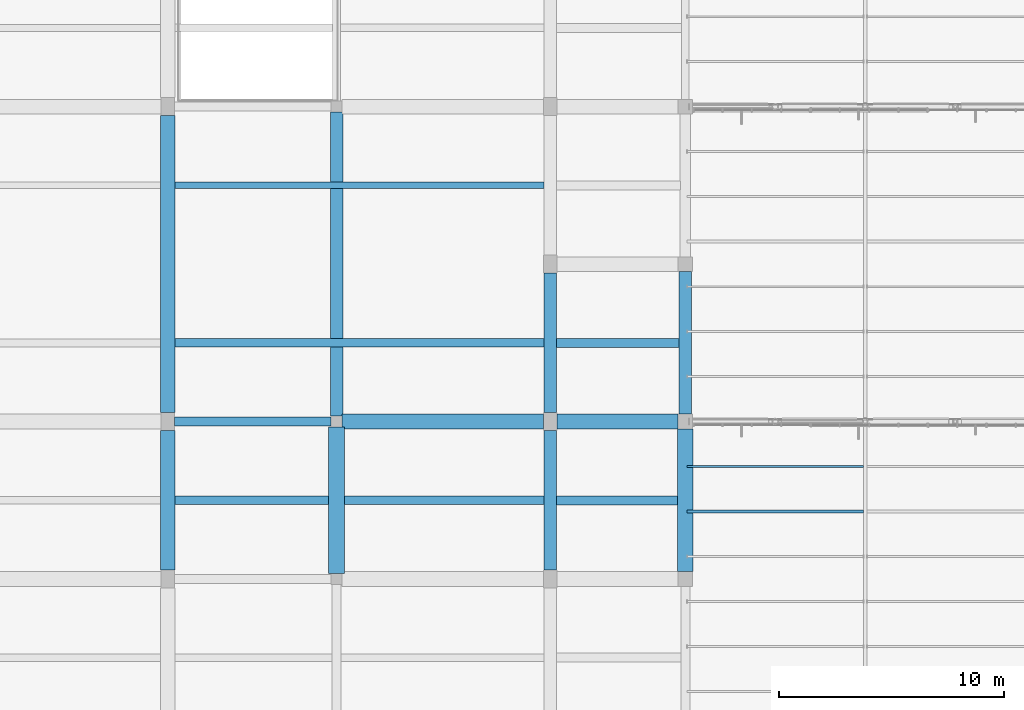
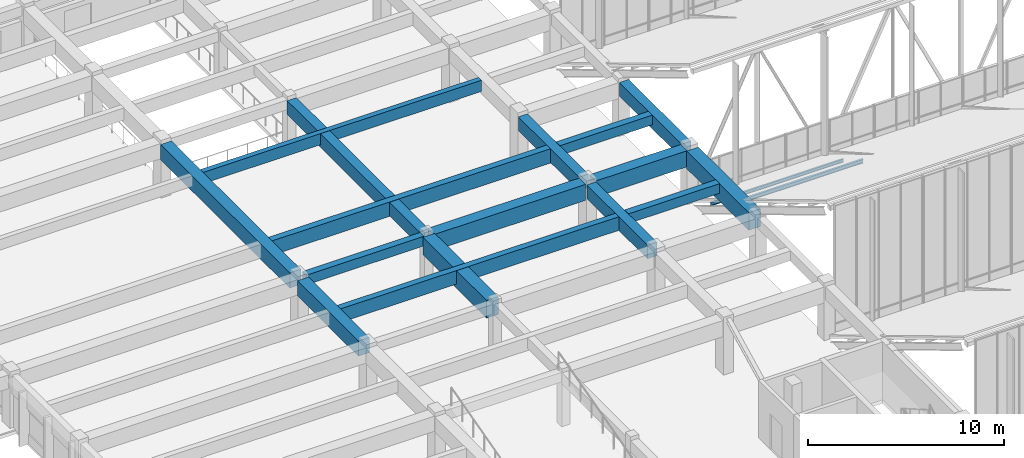
# One storey, part 51 of 155: 16 beams, 2 members.
"""IFC4 building model written with IfcOpenShell, lengths in metres."""

from ifc_helpers import new_model, si_unit, direction, frame, origin, origin_2d, place, context, subcontext, project, spatial, rectangle, i_section, extrude, material, material_profile, profile_set, type_object, element, save


model = new_model("IFC4")

# Units and contexts
model_context = context("Model", 3, precision=1e-05, world=origin(), true_north=direction((0.0, 1.0)))
body_context = subcontext(model_context, "Body", "Model", "MODEL_VIEW")
ifc_project = project(units=[si_unit("LENGTHUNIT", "METRE"), si_unit("AREAUNIT", "SQUARE_METRE"), si_unit("VOLUMEUNIT", "CUBIC_METRE"), si_unit("PLANEANGLEUNIT", "RADIAN"), si_unit("MASSUNIT", "GRAM", prefix="KILO")], contexts=[model_context])

# Site, building, storey
site_placement = place(None, origin())
site = spatial("IfcSite", under=ifc_project, at=site_placement, CompositionType="ELEMENT")
building_placement = place(site_placement, origin())
building = spatial("IfcBuilding", under=site, at=building_placement, Name="Larkveld Mobility Hub", CompositionType="ELEMENT")
storey_placement = place(building_placement, frame((0.0, 0.0, 8.39990234375)))
storey = spatial("IfcBuildingStorey", under=building, at=storey_placement, Name="L02", CompositionType="ELEMENT", Elevation=8.39990234375)

# Beams
ifc_material_1 = material(Name="Precast concrete C50/60", Category="concrete")
ifc_material_profile_1 = material_profile(ifc_material_1, rectangle(XDim=0.300048828125, YDim=0.699951171875, at=origin_2d()), Name="PC DT 300x700")
ifc_profile_set_1 = profile_set([ifc_material_profile_1], Name="Precast concrete C50/60")
beam_type_1 = type_object("IfcBeamType", Name="BM-DT3070", PredefinedType="T_BEAM", material=ifc_profile_set_1)
beam_1_placement = place(storey_placement, frame((129.320068359375, 94.5, 3.02001953125), z_axis=(1.0, 0.0, 0.0), x_axis=(0.0, 1.0, 0.0)))
element("IfcBeam", 1, at=beam_1_placement, inside=storey, type_object=beam_type_1, Name="Precast Double-Tee Stem L02-1101", PredefinedType="T_BEAM", context=body_context, shape_type="SweptSolid", body=[
    extrude(rectangle(XDim=0.300048828125, YDim=0.699951171875, at=origin_2d()), origin(), (0.0, 0.0, 1.0), 16.409912109375),
])
ifc_material_profile_2 = material_profile(ifc_material_1, rectangle(XDim=0.360107421875, YDim=0.85009765625, at=origin_2d()), Name="PC DT 360x850")
ifc_profile_set_2 = profile_set([ifc_material_profile_2], Name="Precast concrete C50/60")
beam_type_2 = type_object("IfcBeamType", Name="BM-DT3685", PredefinedType="T_BEAM", material=ifc_profile_set_2)
beam_2_placement = place(storey_placement, frame((129.320068359375, 80.5, 2.945068359375), z_axis=(1.0, 0.0, 0.0), x_axis=(0.0, 1.0, 0.0)))
element("IfcBeam", 2, at=beam_2_placement, inside=storey, type_object=beam_type_2, Name="Precast Double-Tee Stem L02-1095", PredefinedType="T_BEAM", context=body_context, shape_type="SweptSolid", body=[
    extrude(rectangle(XDim=0.360107421875, YDim=0.85009765625, at=origin_2d()), origin(), (0.0, 0.0, 1.0), 16.409912109375),
])
ifc_material_profile_3 = material_profile(ifc_material_1, rectangle(XDim=0.3798828125, YDim=0.89990234375, at=origin_2d()), Name="PC DT 380x900")
ifc_profile_set_3 = profile_set([ifc_material_profile_3], Name="Precast concrete C50/60")
beam_type_3 = type_object("IfcBeamType", Name="BM-DT3890", PredefinedType="T_BEAM", material=ifc_profile_set_3)
beam_3_placement = place(storey_placement, frame((129.320068359375, 87.5, 2.920166015625), z_axis=(1.0, 0.0, 0.0), x_axis=(0.0, 1.0, 0.0)))
element("IfcBeam", 3, at=beam_3_placement, inside=storey, type_object=beam_type_3, Name="Precast Double-Tee Stem L02-1098", PredefinedType="T_BEAM", context=body_context, shape_type="SweptSolid", body=[
    extrude(rectangle(XDim=0.3798828125, YDim=0.89990234375, at=origin_2d()), origin(), (0.0, 0.0, 1.0), 16.409912109375),
])
ifc_material_profile_4 = material_profile(ifc_material_1, rectangle(XDim=0.64990234375, YDim=0.949951171875, at=origin_2d()), Name="PC ITB 650x950")
ifc_profile_set_4 = profile_set([ifc_material_profile_4], Name="Precast concrete C50/60")
beam_type_4 = type_object("IfcBeamType", Name="BM-ITB6595", PredefinedType="T_BEAM", material=ifc_profile_set_4)
beam_4_placement = place(storey_placement, frame((129.0, 77.39990234375, 2.885009765625), z_axis=(0.0, 1.0, 0.0), x_axis=(-1.0, 0.0, 0.0)))
element("IfcBeam", 4, at=beam_4_placement, inside=storey, type_object=beam_type_4, Name="Primary N-S Girder L02-0648", PredefinedType="T_BEAM", context=body_context, shape_type="SweptSolid", body=[
    extrude(rectangle(XDim=0.64990234375, YDim=0.949951171875, at=origin_2d()), origin(), (0.0, 0.0, 1.0), 6.2001953125),
])
beam_5_placement = place(storey_placement, frame((129.0, 84.39990234375, 2.885009765625), z_axis=(0.0, 1.0, 0.0), x_axis=(-1.0, 0.0, 0.0)))
element("IfcBeam", 5, at=beam_5_placement, inside=storey, type_object=beam_type_4, Name="Primary N-S Girder L02-0649", PredefinedType="T_BEAM", context=body_context, shape_type="SweptSolid", body=[
    extrude(rectangle(XDim=0.64990234375, YDim=0.949951171875, at=origin_2d()), origin(), (0.0, 0.0, 1.0), 13.2001953125),
])
ifc_material_2 = material(Name="Concrete C40/50", Category="concrete")
ifc_material_profile_5 = material_profile(ifc_material_2, rectangle(XDim=0.39990234375, YDim=0.60009765625, at=origin_2d()), Name="RC BM 400x600")
ifc_profile_set_5 = profile_set([ifc_material_profile_5], Name="Concrete C40/50")
beam_type_5 = type_object("IfcBeamType", Name="BM-RC4060", PredefinedType="BEAM", material=ifc_profile_set_5)
beam_6_placement = place(storey_placement, frame((129.300048828125, 84.0, 3.06005859375), z_axis=(1.0, 0.0, 0.0), x_axis=(0.0, 1.0, 0.0)))
element("IfcBeam", 6, at=beam_6_placement, inside=storey, type_object=beam_type_5, Name="Primary E-W Girder L02-0531", PredefinedType="BEAM", context=body_context, shape_type="SweptSolid", body=[
    extrude(rectangle(XDim=0.39990234375, YDim=0.60009765625, at=origin_2d()), origin(), (0.0, 0.0, 1.0), 6.949951171875),
])
beam_7_placement = place(storey_placement, frame((146.27001953125, 80.5, 3.070068359375), z_axis=(1.0, 0.0, 0.0), x_axis=(0.0, 1.0, 0.0)))
element("IfcBeam", 7, at=beam_7_placement, inside=storey, type_object=beam_type_5, Name="Concourse Spine Joist L02-1096", PredefinedType="BEAM", context=body_context, shape_type="SweptSolid", body=[
    extrude(rectangle(XDim=0.39990234375, YDim=0.60009765625, at=origin_2d()), origin(), (0.0, 0.0, 1.0), 5.385009765625),
])
beam_8_placement = place(storey_placement, frame((146.27001953125, 87.5, 3.070068359375), z_axis=(1.0, 0.0, 0.0), x_axis=(0.0, 1.0, 0.0)))
element("IfcBeam", 8, at=beam_8_placement, inside=storey, type_object=beam_type_5, Name="Concourse Spine Joist L02-1099", PredefinedType="BEAM", context=body_context, shape_type="SweptSolid", body=[
    extrude(rectangle(XDim=0.39990234375, YDim=0.60009765625, at=origin_2d()), origin(), (0.0, 0.0, 1.0), 5.4599609375),
])
ifc_material_profile_6 = material_profile(ifc_material_2, rectangle(XDim=0.550048828125, YDim=0.85009765625, at=origin_2d()), Name="RC BM 550x850")
ifc_profile_set_6 = profile_set([ifc_material_profile_6], Name="Concrete C40/50")
beam_type_6 = type_object("IfcBeamType", Name="BM-RC5585", PredefinedType="BEAM", material=ifc_profile_set_6)
beam_9_placement = place(storey_placement, frame((136.5, 84.25, 2.93505859375), z_axis=(0.0, 1.0, 0.0), x_axis=(-1.0, 0.0, 0.0)))
element("IfcBeam", 9, at=beam_9_placement, inside=storey, type_object=beam_type_6, Name="Primary N-S Girder L02-0657", PredefinedType="BEAM", context=body_context, shape_type="SweptSolid", body=[
    extrude(rectangle(XDim=0.550048828125, YDim=0.85009765625, at=origin_2d()), origin(), (0.0, 0.0, 1.0), 13.5),
])
for number, where, z_axis, x_axis, name in (
    (10, (146.0, 77.39990234375, 2.93505859375), (0.0, 1.0, 0.0), (-1.0, 0.0, 0.0), "Primary N-S Girder L02-0666"),
    (11, (146.0, 84.39990234375, 2.93505859375), (0.0, 1.0, 0.0), (-1.0, 0.0, 0.0), "Primary N-S Girder L02-0667"),
):
    element("IfcBeam", number, at=place(storey_placement, frame(where, z_axis=z_axis, x_axis=x_axis)), inside=storey, type_object=beam_type_6, Name=name, PredefinedType="BEAM", context=body_context, shape_type="SweptSolid", body=[
        extrude(rectangle(XDim=0.550048828125, YDim=0.85009765625, at=origin_2d()), origin(), (0.0, 0.0, 1.0), 6.2001953125),
    ])
beam_10_placement = place(storey_placement, frame((152.0, 84.324951171875, 2.93505859375), z_axis=(0.0, 1.0, 0.0), x_axis=(-1.0, 0.0, 0.0)))
element("IfcBeam", 12, at=beam_10_placement, inside=storey, type_object=beam_type_6, Name="Primary N-S Girder L02-0682", PredefinedType="BEAM", context=body_context, shape_type="SweptSolid", body=[
    extrude(rectangle(XDim=0.550048828125, YDim=0.85009765625, at=origin_2d()), origin(), (0.0, 0.0, 1.0), 6.35009765625),
])
ifc_material_profile_7 = material_profile(ifc_material_2, rectangle(XDim=0.64990234375, YDim=1.0, at=origin_2d()), Name="RC BM 650x1000")
ifc_profile_set_7 = profile_set([ifc_material_profile_7], Name="Concrete C40/50")
beam_type_7 = type_object("IfcBeamType", Name="BM-RC65100", PredefinedType="BEAM", material=ifc_profile_set_7)
beam_11_placement = place(storey_placement, frame((136.75, 84.0, 2.860107421875), z_axis=(1.0, 0.0, 0.0), x_axis=(0.0, 1.0, 0.0)))
element("IfcBeam", 13, at=beam_11_placement, inside=storey, type_object=beam_type_7, Name="Primary E-W Girder L02-0532", PredefinedType="BEAM", context=body_context, shape_type="SweptSolid", body=[
    extrude(rectangle(XDim=0.64990234375, YDim=1.0, at=origin_2d()), origin(), (0.0, 0.0, 1.0), 8.949951171875),
])
beam_12_placement = place(storey_placement, frame((146.300048828125, 84.0, 2.860107421875), z_axis=(1.0, 0.0, 0.0), x_axis=(0.0, 1.0, 0.0)))
element("IfcBeam", 14, at=beam_12_placement, inside=storey, type_object=beam_type_7, Name="Primary E-W Girder L02-0533", PredefinedType="BEAM", context=body_context, shape_type="SweptSolid", body=[
    extrude(rectangle(XDim=0.64990234375, YDim=1.0, at=origin_2d()), origin(), (0.0, 0.0, 1.0), 5.375),
])
ifc_material_profile_8 = material_profile(ifc_material_2, rectangle(XDim=0.699951171875, YDim=1.10009765625, at=origin_2d()), Name="RC BM 700x1100")
ifc_profile_set_8 = profile_set([ifc_material_profile_8], Name="Concrete C40/50")
beam_type_8 = type_object("IfcBeamType", Name="BM-RC70110", PredefinedType="BEAM", material=ifc_profile_set_8)
beam_13_placement = place(storey_placement, frame((136.5, 77.25, 2.81005859375), z_axis=(0.0, 1.0, 0.0), x_axis=(-1.0, 0.0, 0.0)))
element("IfcBeam", 15, at=beam_13_placement, inside=storey, type_object=beam_type_8, Name="Primary N-S Girder L02-0656", PredefinedType="BEAM", context=body_context, shape_type="SweptSolid", body=[
    extrude(rectangle(XDim=0.699951171875, YDim=1.10009765625, at=origin_2d()), origin(), (0.0, 0.0, 1.0), 6.5),
])
beam_14_placement = place(storey_placement, frame((152.0, 77.324951171875, 2.81005859375), z_axis=(0.0, 1.0, 0.0), x_axis=(-1.0, 0.0, 0.0)))
element("IfcBeam", 16, at=beam_14_placement, inside=storey, type_object=beam_type_8, Name="Primary N-S Girder L02-0681", PredefinedType="BEAM", context=body_context, shape_type="SweptSolid", body=[
    extrude(rectangle(XDim=0.699951171875, YDim=1.10009765625, at=origin_2d()), origin(), (0.0, 0.0, 1.0), 6.35009765625),
])

# Members
ifc_material_3 = material(Name="Steel S355JR", Category="steel")
ifc_material_profile_9 = material_profile(ifc_material_3, i_section(OverallWidth=0.10009765625, OverallDepth=0.199951171875, WebThickness=0.005615234375, FlangeThickness=0.008544921875, FilletRadius=0.011962890625, at=origin_2d()), Name="IPE 200")
ifc_profile_set_9 = profile_set([ifc_material_profile_9], Name="Steel S355JR")
member_type_1 = type_object("IfcMemberType", Name="MB-PR-IPE200", PredefinedType="PURLIN", material=ifc_profile_set_9)
member_1_placement = place(storey_placement, frame((152.080078125, 82.0, 0.906982421875), z_axis=(1.0, 0.0, 0.0), x_axis=(0.0, 1.0, 0.0)))
element("IfcMember", 17, at=member_1_placement, inside=storey, type_object=member_type_1, Name="Sawtooth Roof Purlin B4-6.1", PredefinedType="PURLIN", context=body_context, shape_type="SweptSolid", body=[
    extrude(i_section(OverallWidth=0.10009765625, OverallDepth=0.199951171875, WebThickness=0.005615234375, FlangeThickness=0.008544921875, FilletRadius=0.011962890625, at=origin_2d()), origin(), (0.0, 0.0, 1.0), 7.83984375),
])
ifc_material_profile_10 = material_profile(ifc_material_3, i_section(OverallWidth=0.1201171875, OverallDepth=0.239990234375, WebThickness=0.006103515625, FlangeThickness=0.009765625, FilletRadius=0.014892578125, at=origin_2d()), Name="IPE 240")
ifc_profile_set_10 = profile_set([ifc_material_profile_10], Name="Steel S355JR")
member_type_2 = type_object("IfcMemberType", Name="MB-PR-IPE240", PredefinedType="PURLIN", material=ifc_profile_set_10)
member_2_placement = place(storey_placement, frame((152.080078125, 80.0, 2.087158203125), z_axis=(1.0, 0.0, 0.0), x_axis=(0.0, 1.0, 0.0)))
element("IfcMember", 18, at=member_2_placement, inside=storey, type_object=member_type_2, Name="Sawtooth Roof Purlin B4-5.1", PredefinedType="PURLIN", context=body_context, shape_type="SweptSolid", body=[
    extrude(i_section(OverallWidth=0.1201171875, OverallDepth=0.239990234375, WebThickness=0.006103515625, FlangeThickness=0.009765625, FilletRadius=0.014892578125, at=origin_2d()), origin(), (0.0, 0.0, 1.0), 7.83984375),
])

save(model, "model.ifc")
